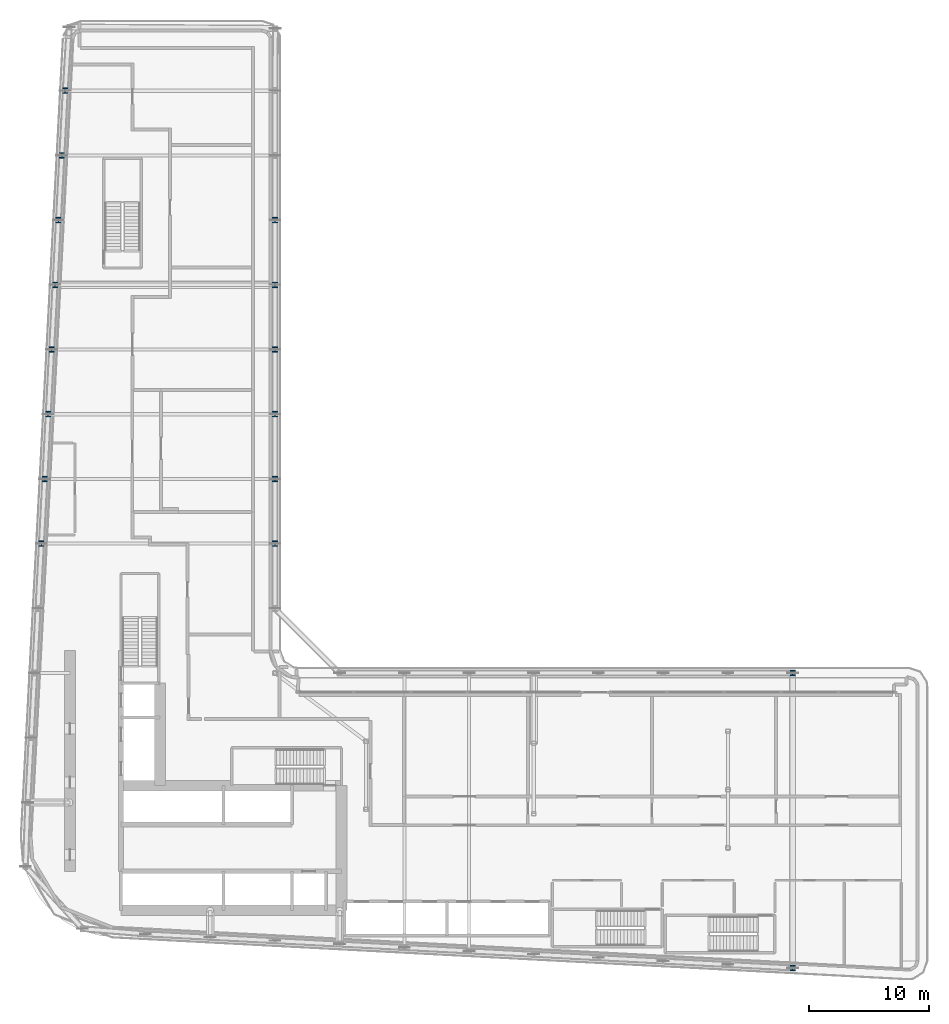
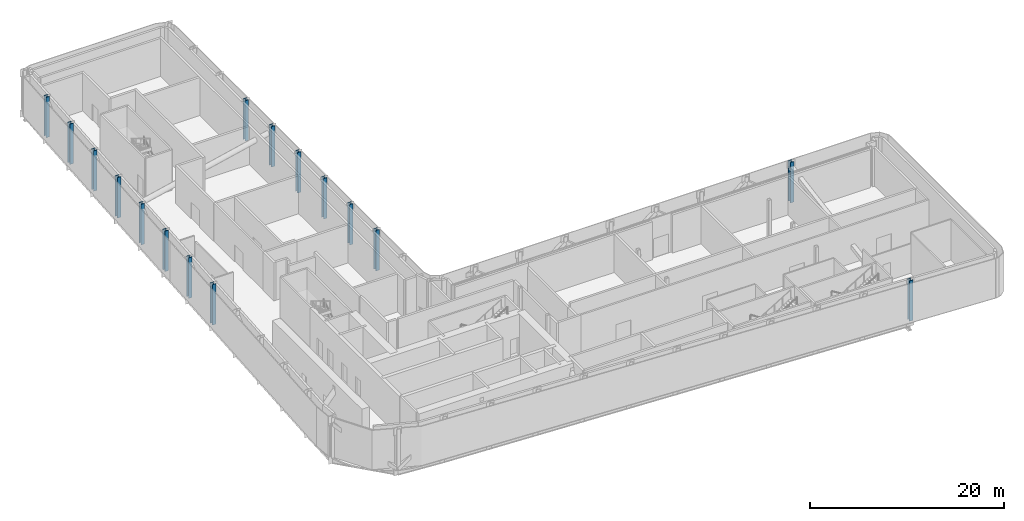
# One storey, part 3 of 30: 16 columns.
"""IFC4 building model written with IfcOpenShell, lengths in metres."""

from ifc_helpers import new_model, si_unit, direction, frame, origin, origin_2d, place, context, subcontext, project, spatial, i_section, extrude, material, material_profile, profile_set, type_object, element, save


model = new_model("IFC4")

# Units and contexts
model_context = context("Model", 3, precision=1e-05, world=origin(), true_north=direction((0.0, 1.0)))
body_context = subcontext(model_context, "Body", "Model", "MODEL_VIEW")
ifc_project = project(units=[si_unit("LENGTHUNIT", "METRE"), si_unit("AREAUNIT", "SQUARE_METRE"), si_unit("VOLUMEUNIT", "CUBIC_METRE"), si_unit("PLANEANGLEUNIT", "RADIAN"), si_unit("MASSUNIT", "GRAM", prefix="KILO")], contexts=[model_context])

# Site, building, storey
site_placement = place(None, origin())
site = spatial("IfcSite", under=ifc_project, at=site_placement, CompositionType="ELEMENT")
building_placement = place(site_placement, origin())
building = spatial("IfcBuilding", under=site, at=building_placement, Name="Kheshtan School and Residences Tower", CompositionType="ELEMENT")
storey_placement = place(building_placement, frame((0.0, 0.0, 89.0)))
storey = spatial("IfcBuildingStorey", under=building, at=storey_placement, Name="L20", CompositionType="ELEMENT", Elevation=89.0)

# Columns
ifc_material = material(Name="Steel ASTM A992 Grade 50", Category="steel")
ifc_material_profile = material_profile(ifc_material, i_section(OverallWidth=0.41796875, OverallDepth=0.455078125, WebThickness=0.042236328125, FlangeThickness=0.067626953125, FilletRadius=0.013671875, at=origin_2d()), Name="W360x551")
ifc_profile_set = profile_set([ifc_material_profile], Name="Steel ASTM A992 Grade 50")
column_type = type_object("IfcColumnType", Name="Column C2 W360x551 ASTM A992 Grade 50", PredefinedType="COLUMN", material=ifc_profile_set)
for number, where, z_axis, x_axis, name in (
    (1, (90.800048828125, 20.989990234375, 0.0), (0.0, 0.0, 1.0), (1.0, 0.0, 0.0), "Column C006"),
    (2, (90.800048828125, 45.60009765625, 0.0), (0.0, 0.0, 1.0), (1.0, 0.0, 0.0), "Column C068"),
    (3, (28.10595703125, 56.39990234375, 0.0), (0.0, 0.0, 1.0), (1.0, 0.0, 0.0), "Column C080"),
    (4, (47.60009765625, 56.39990234375, 0.0), (0.0, 0.0, 1.0), (1.0, 0.0, 0.0), "Column C081"),
    (5, (28.389892578125, 61.800048828125, 0.0), (0.0, 0.0, 1.0), (1.0, 0.0, 0.0), "Column C082"),
    (6, (47.60009765625, 61.800048828125, 0.0), (0.0, 0.0, 1.0), (1.0, 0.0, 0.0), "Column C083"),
    (7, (28.674072265625, 67.199951171875, 0.0), (0.0, 0.0, 1.0), (1.0, 0.0, 0.0), "Column C084"),
    (8, (47.60009765625, 67.199951171875, 0.0), (0.0, 0.0, 1.0), (1.0, 0.0, 0.0), "Column C085"),
    (9, (28.9580078125, 72.60009765625, 0.0), (0.0, 0.0, 1.0), (1.0, 0.0, 0.0), "Column C086"),
    (10, (47.60009765625, 72.60009765625, 0.0), (0.0, 0.0, 1.0), (1.0, 0.0, 0.0), "Column C087"),
    (11, (29.242919921875, 78.0, 0.0), (0.0, 0.0, 1.0), (1.0, 0.0, 0.0), "Column C088"),
    (12, (47.60009765625, 78.0, 0.0), (0.0, 0.0, 1.0), (1.0, 0.0, 0.0), "Column C089"),
    (13, (29.527099609375, 83.39990234375, 0.0), (0.0, 0.0, 1.0), (1.0, 0.0, 0.0), "Column C090"),
    (14, (47.60009765625, 83.39990234375, 0.0), (0.0, 0.0, 1.0), (1.0, 0.0, 0.0), "Column C091"),
    (15, (29.81103515625, 88.800048828125, 0.0), (0.0, 0.0, 1.0), (1.0, 0.0, 0.0), "Column C098"),
    (16, (30.094970703125, 94.199951171875, 0.0), (0.0, 0.0, 1.0), (1.0, 0.0, 0.0), "Column C106"),
):
    element("IfcColumn", number, at=place(storey_placement, frame(where, z_axis=z_axis, x_axis=x_axis)), inside=storey, type_object=column_type, Name=name, PredefinedType="COLUMN", context=body_context, shape_type="SweptSolid", body=[
        extrude(i_section(OverallWidth=0.41796875, OverallDepth=0.455078125, WebThickness=0.042236328125, FlangeThickness=0.067626953125, FilletRadius=0.013671875, at=origin_2d()), origin(), (0.0, 0.0, 1.0), 5.10009765625),
    ])

save(model, "model.ifc")
